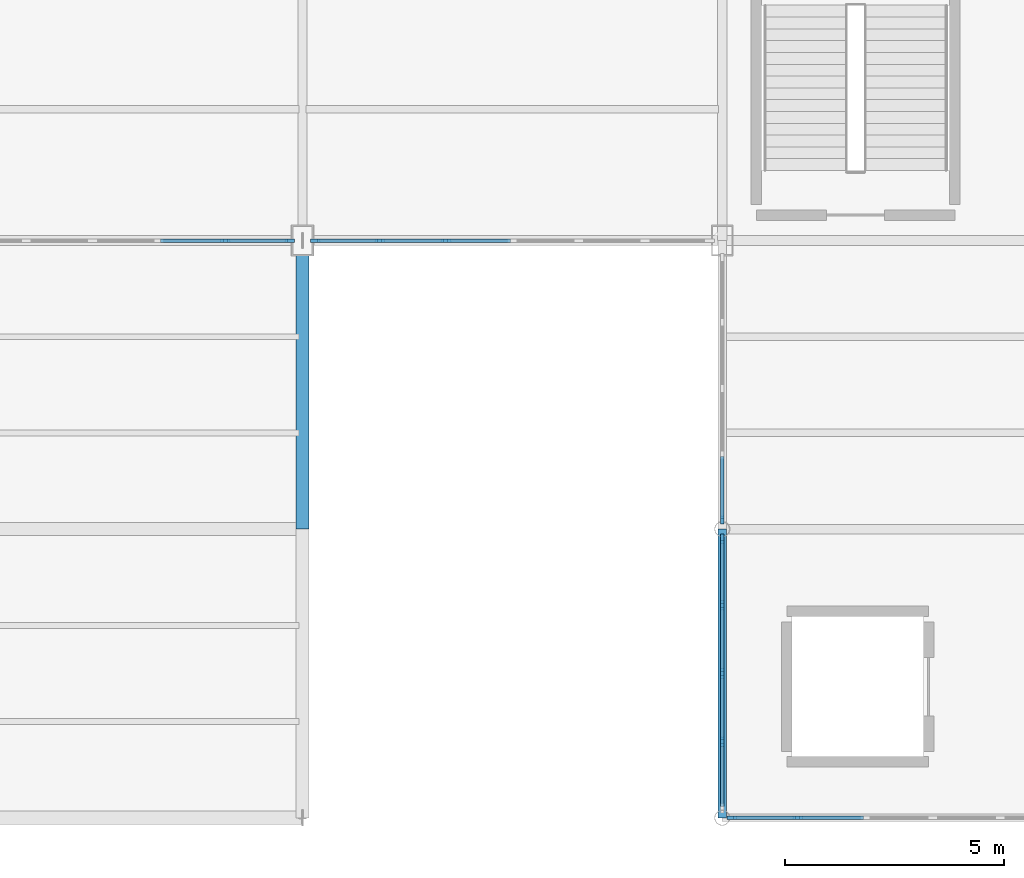
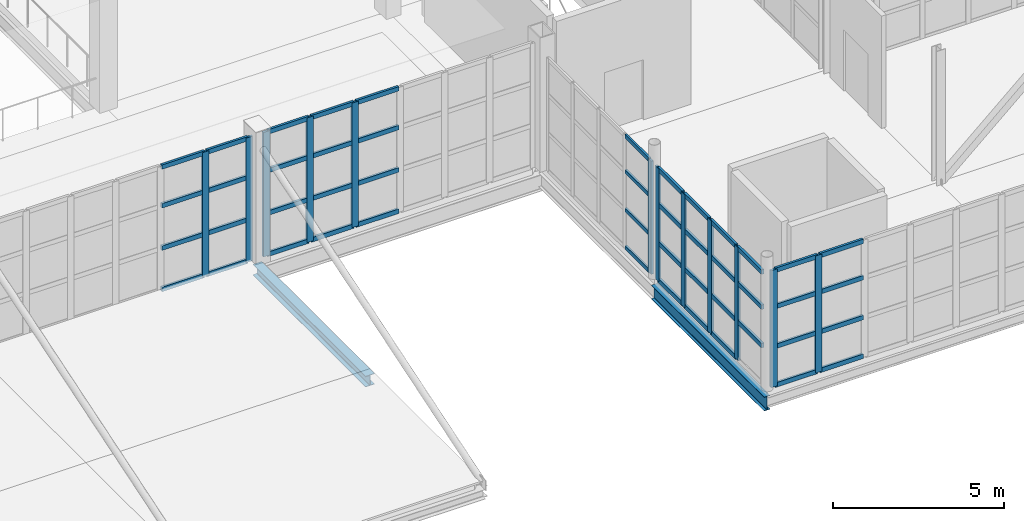
# One storey, part 31 of 120: 59 members, 2 beams, 5 elements without a shape of their own.
"""IFC4 building model written with IfcOpenShell, lengths in metres."""

from ifc_helpers import new_model, si_unit, direction, frame, origin, origin_2d, place, context, subcontext, project, spatial, rectangle, i_section, extrude, material, layer, layer_set, material_profile, profile_set, type_object, element, aggregate, save


model = new_model("IFC4")

# Units and contexts
model_context = context("Model", 3, precision=1e-05, world=origin(), true_north=direction((0.0, 1.0)))
body_context = subcontext(model_context, "Body", "Model", "MODEL_VIEW")
ifc_project = project(units=[si_unit("LENGTHUNIT", "METRE"), si_unit("AREAUNIT", "SQUARE_METRE"), si_unit("VOLUMEUNIT", "CUBIC_METRE"), si_unit("PLANEANGLEUNIT", "RADIAN"), si_unit("MASSUNIT", "GRAM", prefix="KILO")], contexts=[model_context])

# Site, building, storey
site_placement = place(None, origin())
site = spatial("IfcSite", under=ifc_project, at=site_placement, CompositionType="ELEMENT")
building_placement = place(site_placement, origin())
building = spatial("IfcBuilding", under=site, at=building_placement, Name="Zarnetskaya Central Station", CompositionType="ELEMENT")
storey_placement = place(building_placement, frame((0.0, 0.0, 5.39990234375)))
storey = spatial("IfcBuildingStorey", under=building, at=storey_placement, Name="L01", CompositionType="ELEMENT", Elevation=5.39990234375)

# Curtain wall, member
ifc_material_1 = material(Name="Low-E insulated glass", Category="glass")
ifc_layer_1 = layer(ifc_material_1, 0.159912109375, Name="Low-E insulated glass", Category="glass")
ifc_layer_set_1 = layer_set([ifc_layer_1], Name="Low-E insulated glass")
curtain_wall_type_1 = type_object("IfcCurtainWallType", Name="CW-SYS-06", PredefinedType="USERDEFINED", material=ifc_layer_set_1)
curtain_wall_1_placement = place(storey_placement, origin())
curtain_wall_1 = element("IfcCurtainWall", 1, at=curtain_wall_1_placement, inside=storey, type_object=curtain_wall_type_1, Name="Curtain wall CW-L01-111", ObjectType="CURTAIN WALL", PredefinedType="USERDEFINED")
ifc_material_2 = material(Name="Anodised aluminium", Category="aluminium")
ifc_material_profile_1 = material_profile(ifc_material_2, rectangle(XDim=0.070068359375, YDim=0.179931640625, at=origin_2d()), Name="ALU MULL 70x180")
ifc_profile_set_1 = profile_set([ifc_material_profile_1], Name="Anodised aluminium")
member_type_1 = type_object("IfcMemberType", Name="CW-MULL-180", PredefinedType="MULLION", material=ifc_profile_set_1)
member_1_placement = place(storey_placement, frame((124.800048828125, 6.812744140625, 0.0), z_axis=(0.0, 0.0, 1.0), x_axis=(-1.0, 0.0, 0.0)))
member_1 = element("IfcMember", 2, at=member_1_placement, type_object=member_type_1, Name="CW-02 mullion 1", PredefinedType="MULLION", context=body_context, shape_type="SweptSolid", body=[
    extrude(rectangle(XDim=0.070068359375, YDim=0.179931640625, at=origin_2d()), origin(), (0.0, 0.0, 1.0), 4.0400390625),
])

# Curtain wall, members
ifc_layer_2 = layer(ifc_material_1, 0.16796875, Name="Low-E insulated glass", Category="glass")
ifc_layer_set_2 = layer_set([ifc_layer_2], Name="Low-E insulated glass")
curtain_wall_type_2 = type_object("IfcCurtainWallType", Name="CW-SYS-13", PredefinedType="USERDEFINED", material=ifc_layer_set_2)
curtain_wall_2_placement = place(storey_placement, origin())
curtain_wall_2 = element("IfcCurtainWall", 3, at=curtain_wall_2_placement, inside=storey, type_object=curtain_wall_type_2, Name="Curtain wall CW-L01-084", ObjectType="CURTAIN WALL", PredefinedType="USERDEFINED")
ifc_material_profile_2 = material_profile(ifc_material_2, rectangle(XDim=0.080078125, YDim=0.219970703125, at=origin_2d()), Name="ALU MULL 80x220")
ifc_profile_set_2 = profile_set([ifc_material_profile_2], Name="Anodised aluminium")
member_type_2 = type_object("IfcMemberType", Name="CW-MULL-220", PredefinedType="MULLION", material=ifc_profile_set_2)
member_2_placement = place(storey_placement, frame((114.909912109375, 13.199951171875, 0.0), z_axis=(0.0, 0.0, 1.0), x_axis=(0.0, -1.0, 0.0)))
member_2 = element("IfcMember", 4, at=member_2_placement, type_object=member_type_2, Name="CW-04 mullion 1", PredefinedType="MULLION", context=body_context, shape_type="SweptSolid", body=[
    extrude(rectangle(XDim=0.080078125, YDim=0.219970703125, at=origin_2d()), origin(), (0.0, 0.0, 1.0), 4.4501953125),
])
member_3_placement = place(storey_placement, frame((113.433349609375, 13.199951171875, 0.0), z_axis=(0.0, 0.0, 1.0), x_axis=(0.0, -1.0, 0.0)))
member_3 = element("IfcMember", 5, at=member_3_placement, type_object=member_type_2, Name="CW-04 mullion 2", PredefinedType="MULLION", context=body_context, shape_type="SweptSolid", body=[
    extrude(rectangle(XDim=0.080078125, YDim=0.219970703125, at=origin_2d()), origin(), (0.0, 0.0, 1.0), 4.4501953125),
])

ifc_layer_3 = layer(ifc_material_1, 0.172119140625, Name="Low-E insulated glass", Category="glass")
ifc_layer_set_3 = layer_set([ifc_layer_3], Name="Low-E insulated glass")
curtain_wall_type_3 = type_object("IfcCurtainWallType", Name="CW-SYS-14", PredefinedType="USERDEFINED", material=ifc_layer_set_3)
curtain_wall_3_placement = place(storey_placement, origin())
curtain_wall_3 = element("IfcCurtainWall", 6, at=curtain_wall_3_placement, inside=storey, type_object=curtain_wall_type_3, Name="Curtain wall CW-L01-086", ObjectType="CURTAIN WALL", PredefinedType="USERDEFINED")
member_4_placement = place(storey_placement, frame((118.4833984375, 13.199951171875, 0.0), z_axis=(0.0, 0.0, 1.0), x_axis=(0.0, -1.0, 0.0)))
member_4 = element("IfcMember", 7, at=member_4_placement, type_object=member_type_2, Name="CW-17 mullion 5", PredefinedType="MULLION", context=body_context, shape_type="SweptSolid", body=[
    extrude(rectangle(XDim=0.080078125, YDim=0.219970703125, at=origin_2d()), origin(), (0.0, 0.0, 1.0), 4.4501953125),
])
member_5_placement = place(storey_placement, frame((116.966552734375, 13.199951171875, 0.0), z_axis=(0.0, 0.0, 1.0), x_axis=(0.0, -1.0, 0.0)))
member_5 = element("IfcMember", 8, at=member_5_placement, type_object=member_type_2, Name="CW-17 mullion 6", PredefinedType="MULLION", context=body_context, shape_type="SweptSolid", body=[
    extrude(rectangle(XDim=0.080078125, YDim=0.219970703125, at=origin_2d()), origin(), (0.0, 0.0, 1.0), 4.4501953125),
])
member_6_placement = place(storey_placement, frame((115.489990234375, 13.199951171875, 0.0), z_axis=(0.0, 0.0, 1.0), x_axis=(0.0, -1.0, 0.0)))
member_6 = element("IfcMember", 9, at=member_6_placement, type_object=member_type_2, Name="CW-17 mullion 7", PredefinedType="MULLION", context=body_context, shape_type="SweptSolid", body=[
    extrude(rectangle(XDim=0.080078125, YDim=0.219970703125, at=origin_2d()), origin(), (0.0, 0.0, 1.0), 4.4501953125),
])

curtain_wall_4_placement = place(storey_placement, origin())
curtain_wall_4 = element("IfcCurtainWall", 10, at=curtain_wall_4_placement, inside=storey, type_object=curtain_wall_type_1, Name="Curtain wall CW-L01-110", ObjectType="CURTAIN WALL", PredefinedType="USERDEFINED")
member_7_placement = place(storey_placement, frame((124.800048828125, 1.739013671875, 0.0), z_axis=(0.0, 0.0, 1.0), x_axis=(-1.0, 0.0, 0.0)))
member_7 = element("IfcMember", 11, at=member_7_placement, type_object=member_type_2, Name="CW-02 mullion 2", PredefinedType="MULLION", context=body_context, shape_type="SweptSolid", body=[
    extrude(rectangle(XDim=0.080078125, YDim=0.219970703125, at=origin_2d()), origin(), (0.0, 0.0, 1.0), 4.0400390625),
])
member_8_placement = place(storey_placement, frame((124.800048828125, 3.300048828125, 0.0), z_axis=(0.0, 0.0, 1.0), x_axis=(-1.0, 0.0, 0.0)))
member_8 = element("IfcMember", 12, at=member_8_placement, type_object=member_type_2, Name="CW-02 mullion 3", PredefinedType="MULLION", context=body_context, shape_type="SweptSolid", body=[
    extrude(rectangle(XDim=0.080078125, YDim=0.219970703125, at=origin_2d()), origin(), (0.0, 0.0, 1.0), 4.0400390625),
])
member_9_placement = place(storey_placement, frame((124.800048828125, 4.861083984375, 0.0), z_axis=(0.0, 0.0, 1.0), x_axis=(-1.0, 0.0, 0.0)))
member_9 = element("IfcMember", 13, at=member_9_placement, type_object=member_type_2, Name="CW-02 mullion 4", PredefinedType="MULLION", context=body_context, shape_type="SweptSolid", body=[
    extrude(rectangle(XDim=0.080078125, YDim=0.219970703125, at=origin_2d()), origin(), (0.0, 0.0, 1.0), 4.0400390625),
])
member_10_placement = place(storey_placement, frame((124.800048828125, 6.382080078125, 0.0), z_axis=(0.0, 0.0, 1.0), x_axis=(-1.0, 0.0, 0.0)))
member_10 = element("IfcMember", 14, at=member_10_placement, type_object=member_type_2, Name="CW-02 mullion 5", PredefinedType="MULLION", context=body_context, shape_type="SweptSolid", body=[
    extrude(rectangle(XDim=0.080078125, YDim=0.219970703125, at=origin_2d()), origin(), (0.0, 0.0, 1.0), 4.0400390625),
])

curtain_wall_5_placement = place(storey_placement, origin())
curtain_wall_5 = element("IfcCurtainWall", 15, at=curtain_wall_5_placement, inside=storey, type_object=curtain_wall_type_1, Name="Curtain wall CW-L01-126", ObjectType="CURTAIN WALL", PredefinedType="USERDEFINED")
member_11_placement = place(storey_placement, frame((126.523193359375, 0.0, 0.0), z_axis=(0.0, 0.0, 1.0), x_axis=(0.0, -1.0, 0.0)))
member_11 = element("IfcMember", 16, at=member_11_placement, type_object=member_type_2, Name="CW-02 mullion 6", PredefinedType="MULLION", context=body_context, shape_type="SweptSolid", body=[
    extrude(rectangle(XDim=0.080078125, YDim=0.219970703125, at=origin_2d()), origin(), (0.0, 0.0, 1.0), 4.18017578125),
])
member_12_placement = place(storey_placement, frame((125.017822265625, 0.0, 0.0), z_axis=(0.0, 0.0, 1.0), x_axis=(0.0, -1.0, 0.0)))
member_12 = element("IfcMember", 17, at=member_12_placement, type_object=member_type_2, Name="CW-02 mullion 7", PredefinedType="MULLION", context=body_context, shape_type="SweptSolid", body=[
    extrude(rectangle(XDim=0.080078125, YDim=0.219970703125, at=origin_2d()), origin(), (0.0, 0.0, 1.0), 4.18017578125),
])

# Member
ifc_material_profile_3 = material_profile(ifc_material_2, rectangle(XDim=0.070068359375, YDim=0.139892578125, at=origin_2d()), Name="ALU TRAN 70x140")
ifc_profile_set_3 = profile_set([ifc_material_profile_3], Name="Anodised aluminium")
member_type_3 = type_object("IfcMemberType", Name="CW-TRAN-140", PredefinedType="USERDEFINED", material=ifc_profile_set_3)
member_13_placement = place(storey_placement, frame((124.800048828125, 6.847900390625, 0.03515625), z_axis=(0.0, 1.0, 0.0), x_axis=(-1.0, 0.0, 0.0)))
member_13 = element("IfcMember", 18, at=member_13_placement, type_object=member_type_3, Name="CW-02 transom 1.1", ObjectType="TRANSOM", PredefinedType="USERDEFINED", context=body_context, shape_type="SweptSolid", body=[
    extrude(rectangle(XDim=0.070068359375, YDim=0.139892578125, at=origin_2d()), origin(), (0.0, 0.0, 1.0), 1.412841796875),
])

member_14_placement = place(storey_placement, frame((124.800048828125, 6.847900390625, 1.3740234375), z_axis=(0.0, 1.0, 0.0), x_axis=(-1.0, 0.0, 0.0)))
member_14 = element("IfcMember", 19, at=member_14_placement, type_object=member_type_3, Name="CW-02 transom 1.2", ObjectType="TRANSOM", PredefinedType="USERDEFINED", context=body_context, shape_type="SweptSolid", body=[
    extrude(rectangle(XDim=0.070068359375, YDim=0.139892578125, at=origin_2d()), origin(), (0.0, 0.0, 1.0), 1.412841796875),
])

member_15_placement = place(storey_placement, frame((124.800048828125, 6.847900390625, 2.7470703125), z_axis=(0.0, 1.0, 0.0), x_axis=(-1.0, 0.0, 0.0)))
member_15 = element("IfcMember", 20, at=member_15_placement, type_object=member_type_3, Name="CW-02 transom 1.3", ObjectType="TRANSOM", PredefinedType="USERDEFINED", context=body_context, shape_type="SweptSolid", body=[
    extrude(rectangle(XDim=0.070068359375, YDim=0.139892578125, at=origin_2d()), origin(), (0.0, 0.0, 1.0), 1.412841796875),
])

member_16_placement = place(storey_placement, frame((124.800048828125, 6.847900390625, 4.005126953125), z_axis=(0.0, 1.0, 0.0), x_axis=(-1.0, 0.0, 0.0)))
member_16 = element("IfcMember", 21, at=member_16_placement, type_object=member_type_3, Name="CW-02 transom 1.4", ObjectType="TRANSOM", PredefinedType="USERDEFINED", context=body_context, shape_type="SweptSolid", body=[
    extrude(rectangle(XDim=0.070068359375, YDim=0.139892578125, at=origin_2d()), origin(), (0.0, 0.0, 1.0), 1.412841796875),
])

aggregate(curtain_wall_1, [member_1, member_13, member_14, member_15, member_16])

ifc_material_profile_4 = material_profile(ifc_material_2, rectangle(XDim=0.080078125, YDim=0.159912109375, at=origin_2d()), Name="ALU TRAN 80x160")
ifc_profile_set_4 = profile_set([ifc_material_profile_4], Name="Anodised aluminium")
member_type_4 = type_object("IfcMemberType", Name="CW-TRAN-160", PredefinedType="USERDEFINED", material=ifc_profile_set_4)
member_17_placement = place(storey_placement, frame((114.8701171875, 13.199951171875, 0.0400390625), z_axis=(-1.0, 0.0, 0.0), x_axis=(0.0, -1.0, 0.0)))
member_17 = element("IfcMember", 22, at=member_17_placement, type_object=member_type_4, Name="CW-04 transom 1.1", ObjectType="TRANSOM", PredefinedType="USERDEFINED", context=body_context, shape_type="SweptSolid", body=[
    extrude(rectangle(XDim=0.080078125, YDim=0.159912109375, at=origin_2d()), origin(), (0.0, 0.0, 1.0), 1.396728515625),
])

member_18_placement = place(storey_placement, frame((114.8701171875, 13.199951171875, 1.51318359375), z_axis=(-1.0, 0.0, 0.0), x_axis=(0.0, -1.0, 0.0)))
member_18 = element("IfcMember", 23, at=member_18_placement, type_object=member_type_4, Name="CW-04 transom 1.2", ObjectType="TRANSOM", PredefinedType="USERDEFINED", context=body_context, shape_type="SweptSolid", body=[
    extrude(rectangle(XDim=0.080078125, YDim=0.159912109375, at=origin_2d()), origin(), (0.0, 0.0, 1.0), 1.396728515625),
])

member_19_placement = place(storey_placement, frame((114.8701171875, 13.199951171875, 3.026123046875), z_axis=(-1.0, 0.0, 0.0), x_axis=(0.0, -1.0, 0.0)))
member_19 = element("IfcMember", 24, at=member_19_placement, type_object=member_type_4, Name="CW-04 transom 1.3", ObjectType="TRANSOM", PredefinedType="USERDEFINED", context=body_context, shape_type="SweptSolid", body=[
    extrude(rectangle(XDim=0.080078125, YDim=0.159912109375, at=origin_2d()), origin(), (0.0, 0.0, 1.0), 1.396728515625),
])

member_20_placement = place(storey_placement, frame((114.8701171875, 13.199951171875, 4.41015625), z_axis=(-1.0, 0.0, 0.0), x_axis=(0.0, -1.0, 0.0)))
member_20 = element("IfcMember", 25, at=member_20_placement, type_object=member_type_4, Name="CW-04 transom 1.4", ObjectType="TRANSOM", PredefinedType="USERDEFINED", context=body_context, shape_type="SweptSolid", body=[
    extrude(rectangle(XDim=0.080078125, YDim=0.159912109375, at=origin_2d()), origin(), (0.0, 0.0, 1.0), 1.396728515625),
])

member_21_placement = place(storey_placement, frame((113.393310546875, 13.199951171875, 0.0400390625), z_axis=(-1.0, 0.0, 0.0), x_axis=(0.0, -1.0, 0.0)))
member_21 = element("IfcMember", 26, at=member_21_placement, type_object=member_type_4, Name="CW-04 transom 2.1", ObjectType="TRANSOM", PredefinedType="USERDEFINED", context=body_context, shape_type="SweptSolid", body=[
    extrude(rectangle(XDim=0.080078125, YDim=0.159912109375, at=origin_2d()), origin(), (0.0, 0.0, 1.0), 1.4365234375),
])

member_22_placement = place(storey_placement, frame((113.393310546875, 13.199951171875, 1.51318359375), z_axis=(-1.0, 0.0, 0.0), x_axis=(0.0, -1.0, 0.0)))
member_22 = element("IfcMember", 27, at=member_22_placement, type_object=member_type_4, Name="CW-04 transom 2.2", ObjectType="TRANSOM", PredefinedType="USERDEFINED", context=body_context, shape_type="SweptSolid", body=[
    extrude(rectangle(XDim=0.080078125, YDim=0.159912109375, at=origin_2d()), origin(), (0.0, 0.0, 1.0), 1.4365234375),
])

member_23_placement = place(storey_placement, frame((113.393310546875, 13.199951171875, 3.026123046875), z_axis=(-1.0, 0.0, 0.0), x_axis=(0.0, -1.0, 0.0)))
member_23 = element("IfcMember", 28, at=member_23_placement, type_object=member_type_4, Name="CW-04 transom 2.3", ObjectType="TRANSOM", PredefinedType="USERDEFINED", context=body_context, shape_type="SweptSolid", body=[
    extrude(rectangle(XDim=0.080078125, YDim=0.159912109375, at=origin_2d()), origin(), (0.0, 0.0, 1.0), 1.4365234375),
])

member_24_placement = place(storey_placement, frame((113.393310546875, 13.199951171875, 4.41015625), z_axis=(-1.0, 0.0, 0.0), x_axis=(0.0, -1.0, 0.0)))
member_24 = element("IfcMember", 29, at=member_24_placement, type_object=member_type_4, Name="CW-04 transom 2.4", ObjectType="TRANSOM", PredefinedType="USERDEFINED", context=body_context, shape_type="SweptSolid", body=[
    extrude(rectangle(XDim=0.080078125, YDim=0.159912109375, at=origin_2d()), origin(), (0.0, 0.0, 1.0), 1.4365234375),
])

aggregate(curtain_wall_2, [member_2, member_3, member_17, member_18, member_19, member_20, member_21, member_22, member_23, member_24])

member_25_placement = place(storey_placement, frame((119.9599609375, 13.199951171875, 0.0400390625), z_axis=(-1.0, 0.0, 0.0), x_axis=(0.0, -1.0, 0.0)))
member_25 = element("IfcMember", 30, at=member_25_placement, type_object=member_type_4, Name="CW-17 transom 4.1", ObjectType="TRANSOM", PredefinedType="USERDEFINED", context=body_context, shape_type="SweptSolid", body=[
    extrude(rectangle(XDim=0.080078125, YDim=0.159912109375, at=origin_2d()), origin(), (0.0, 0.0, 1.0), 1.4365234375),
])

member_26_placement = place(storey_placement, frame((119.9599609375, 13.199951171875, 1.51318359375), z_axis=(-1.0, 0.0, 0.0), x_axis=(0.0, -1.0, 0.0)))
member_26 = element("IfcMember", 31, at=member_26_placement, type_object=member_type_4, Name="CW-17 transom 4.2", ObjectType="TRANSOM", PredefinedType="USERDEFINED", context=body_context, shape_type="SweptSolid", body=[
    extrude(rectangle(XDim=0.080078125, YDim=0.159912109375, at=origin_2d()), origin(), (0.0, 0.0, 1.0), 1.4365234375),
])

member_27_placement = place(storey_placement, frame((119.9599609375, 13.199951171875, 3.026123046875), z_axis=(-1.0, 0.0, 0.0), x_axis=(0.0, -1.0, 0.0)))
member_27 = element("IfcMember", 32, at=member_27_placement, type_object=member_type_4, Name="CW-17 transom 4.3", ObjectType="TRANSOM", PredefinedType="USERDEFINED", context=body_context, shape_type="SweptSolid", body=[
    extrude(rectangle(XDim=0.080078125, YDim=0.159912109375, at=origin_2d()), origin(), (0.0, 0.0, 1.0), 1.4365234375),
])

member_28_placement = place(storey_placement, frame((119.9599609375, 13.199951171875, 4.41015625), z_axis=(-1.0, 0.0, 0.0), x_axis=(0.0, -1.0, 0.0)))
member_28 = element("IfcMember", 33, at=member_28_placement, type_object=member_type_4, Name="CW-17 transom 4.4", ObjectType="TRANSOM", PredefinedType="USERDEFINED", context=body_context, shape_type="SweptSolid", body=[
    extrude(rectangle(XDim=0.080078125, YDim=0.159912109375, at=origin_2d()), origin(), (0.0, 0.0, 1.0), 1.4365234375),
])

member_29_placement = place(storey_placement, frame((118.443359375, 13.199951171875, 0.0400390625), z_axis=(-1.0, 0.0, 0.0), x_axis=(0.0, -1.0, 0.0)))
member_29 = element("IfcMember", 34, at=member_29_placement, type_object=member_type_4, Name="CW-17 transom 5.1", ObjectType="TRANSOM", PredefinedType="USERDEFINED", context=body_context, shape_type="SweptSolid", body=[
    extrude(rectangle(XDim=0.080078125, YDim=0.159912109375, at=origin_2d()), origin(), (0.0, 0.0, 1.0), 1.436767578125),
])

member_30_placement = place(storey_placement, frame((118.443359375, 13.199951171875, 1.51318359375), z_axis=(-1.0, 0.0, 0.0), x_axis=(0.0, -1.0, 0.0)))
member_30 = element("IfcMember", 35, at=member_30_placement, type_object=member_type_4, Name="CW-17 transom 5.2", ObjectType="TRANSOM", PredefinedType="USERDEFINED", context=body_context, shape_type="SweptSolid", body=[
    extrude(rectangle(XDim=0.080078125, YDim=0.159912109375, at=origin_2d()), origin(), (0.0, 0.0, 1.0), 1.436767578125),
])

member_31_placement = place(storey_placement, frame((118.443359375, 13.199951171875, 3.026123046875), z_axis=(-1.0, 0.0, 0.0), x_axis=(0.0, -1.0, 0.0)))
member_31 = element("IfcMember", 36, at=member_31_placement, type_object=member_type_4, Name="CW-17 transom 5.3", ObjectType="TRANSOM", PredefinedType="USERDEFINED", context=body_context, shape_type="SweptSolid", body=[
    extrude(rectangle(XDim=0.080078125, YDim=0.159912109375, at=origin_2d()), origin(), (0.0, 0.0, 1.0), 1.436767578125),
])

member_32_placement = place(storey_placement, frame((118.443359375, 13.199951171875, 4.41015625), z_axis=(-1.0, 0.0, 0.0), x_axis=(0.0, -1.0, 0.0)))
member_32 = element("IfcMember", 37, at=member_32_placement, type_object=member_type_4, Name="CW-17 transom 5.4", ObjectType="TRANSOM", PredefinedType="USERDEFINED", context=body_context, shape_type="SweptSolid", body=[
    extrude(rectangle(XDim=0.080078125, YDim=0.159912109375, at=origin_2d()), origin(), (0.0, 0.0, 1.0), 1.436767578125),
])

member_33_placement = place(storey_placement, frame((116.9267578125, 13.199951171875, 0.0400390625), z_axis=(-1.0, 0.0, 0.0), x_axis=(0.0, -1.0, 0.0)))
member_33 = element("IfcMember", 38, at=member_33_placement, type_object=member_type_4, Name="CW-17 transom 6.1", ObjectType="TRANSOM", PredefinedType="USERDEFINED", context=body_context, shape_type="SweptSolid", body=[
    extrude(rectangle(XDim=0.080078125, YDim=0.159912109375, at=origin_2d()), origin(), (0.0, 0.0, 1.0), 1.396728515625),
])

member_34_placement = place(storey_placement, frame((116.9267578125, 13.199951171875, 1.51318359375), z_axis=(-1.0, 0.0, 0.0), x_axis=(0.0, -1.0, 0.0)))
member_34 = element("IfcMember", 39, at=member_34_placement, type_object=member_type_4, Name="CW-17 transom 6.2", ObjectType="TRANSOM", PredefinedType="USERDEFINED", context=body_context, shape_type="SweptSolid", body=[
    extrude(rectangle(XDim=0.080078125, YDim=0.159912109375, at=origin_2d()), origin(), (0.0, 0.0, 1.0), 1.396728515625),
])

member_35_placement = place(storey_placement, frame((116.9267578125, 13.199951171875, 3.026123046875), z_axis=(-1.0, 0.0, 0.0), x_axis=(0.0, -1.0, 0.0)))
member_35 = element("IfcMember", 40, at=member_35_placement, type_object=member_type_4, Name="CW-17 transom 6.3", ObjectType="TRANSOM", PredefinedType="USERDEFINED", context=body_context, shape_type="SweptSolid", body=[
    extrude(rectangle(XDim=0.080078125, YDim=0.159912109375, at=origin_2d()), origin(), (0.0, 0.0, 1.0), 1.396728515625),
])

member_36_placement = place(storey_placement, frame((116.9267578125, 13.199951171875, 4.41015625), z_axis=(-1.0, 0.0, 0.0), x_axis=(0.0, -1.0, 0.0)))
member_36 = element("IfcMember", 41, at=member_36_placement, type_object=member_type_4, Name="CW-17 transom 6.4", ObjectType="TRANSOM", PredefinedType="USERDEFINED", context=body_context, shape_type="SweptSolid", body=[
    extrude(rectangle(XDim=0.080078125, YDim=0.159912109375, at=origin_2d()), origin(), (0.0, 0.0, 1.0), 1.396728515625),
])

aggregate(curtain_wall_3, [member_4, member_5, member_6, member_25, member_26, member_27, member_28, member_29, member_30, member_31, member_32, member_33, member_34, member_35, member_36])

member_37_placement = place(storey_placement, frame((124.800048828125, 0.2578125, 1.3740234375), z_axis=(0.0, 1.0, 0.0), x_axis=(-1.0, 0.0, 0.0)))
member_37 = element("IfcMember", 42, at=member_37_placement, type_object=member_type_4, Name="CW-02 transom 1.2", ObjectType="TRANSOM", PredefinedType="USERDEFINED", context=body_context, shape_type="SweptSolid", body=[
    extrude(rectangle(XDim=0.080078125, YDim=0.159912109375, at=origin_2d()), origin(), (0.0, 0.0, 1.0), 1.441162109375),
])

member_38_placement = place(storey_placement, frame((124.800048828125, 0.2578125, 2.7470703125), z_axis=(0.0, 1.0, 0.0), x_axis=(-1.0, 0.0, 0.0)))
member_38 = element("IfcMember", 43, at=member_38_placement, type_object=member_type_4, Name="CW-02 transom 1.3", ObjectType="TRANSOM", PredefinedType="USERDEFINED", context=body_context, shape_type="SweptSolid", body=[
    extrude(rectangle(XDim=0.080078125, YDim=0.159912109375, at=origin_2d()), origin(), (0.0, 0.0, 1.0), 1.441162109375),
])

member_39_placement = place(storey_placement, frame((124.800048828125, 0.2578125, 4.0), z_axis=(0.0, 1.0, 0.0), x_axis=(-1.0, 0.0, 0.0)))
member_39 = element("IfcMember", 44, at=member_39_placement, type_object=member_type_4, Name="CW-02 transom 1.4", ObjectType="TRANSOM", PredefinedType="USERDEFINED", context=body_context, shape_type="SweptSolid", body=[
    extrude(rectangle(XDim=0.080078125, YDim=0.159912109375, at=origin_2d()), origin(), (0.0, 0.0, 1.0), 1.441162109375),
])

member_40_placement = place(storey_placement, frame((124.800048828125, 1.77880859375, 0.0400390625), z_axis=(0.0, 1.0, 0.0), x_axis=(-1.0, 0.0, 0.0)))
member_40 = element("IfcMember", 45, at=member_40_placement, type_object=member_type_4, Name="CW-02 transom 2.1", ObjectType="TRANSOM", PredefinedType="USERDEFINED", context=body_context, shape_type="SweptSolid", body=[
    extrude(rectangle(XDim=0.080078125, YDim=0.159912109375, at=origin_2d()), origin(), (0.0, 0.0, 1.0), 1.481201171875),
])

member_41_placement = place(storey_placement, frame((124.800048828125, 1.77880859375, 1.3740234375), z_axis=(0.0, 1.0, 0.0), x_axis=(-1.0, 0.0, 0.0)))
member_41 = element("IfcMember", 46, at=member_41_placement, type_object=member_type_4, Name="CW-02 transom 2.2", ObjectType="TRANSOM", PredefinedType="USERDEFINED", context=body_context, shape_type="SweptSolid", body=[
    extrude(rectangle(XDim=0.080078125, YDim=0.159912109375, at=origin_2d()), origin(), (0.0, 0.0, 1.0), 1.481201171875),
])

member_42_placement = place(storey_placement, frame((124.800048828125, 1.77880859375, 2.7470703125), z_axis=(0.0, 1.0, 0.0), x_axis=(-1.0, 0.0, 0.0)))
member_42 = element("IfcMember", 47, at=member_42_placement, type_object=member_type_4, Name="CW-02 transom 2.3", ObjectType="TRANSOM", PredefinedType="USERDEFINED", context=body_context, shape_type="SweptSolid", body=[
    extrude(rectangle(XDim=0.080078125, YDim=0.159912109375, at=origin_2d()), origin(), (0.0, 0.0, 1.0), 1.481201171875),
])

member_43_placement = place(storey_placement, frame((124.800048828125, 1.77880859375, 4.0), z_axis=(0.0, 1.0, 0.0), x_axis=(-1.0, 0.0, 0.0)))
member_43 = element("IfcMember", 48, at=member_43_placement, type_object=member_type_4, Name="CW-02 transom 2.4", ObjectType="TRANSOM", PredefinedType="USERDEFINED", context=body_context, shape_type="SweptSolid", body=[
    extrude(rectangle(XDim=0.080078125, YDim=0.159912109375, at=origin_2d()), origin(), (0.0, 0.0, 1.0), 1.481201171875),
])

member_44_placement = place(storey_placement, frame((124.800048828125, 3.340087890625, 0.0400390625), z_axis=(0.0, 1.0, 0.0), x_axis=(-1.0, 0.0, 0.0)))
member_44 = element("IfcMember", 49, at=member_44_placement, type_object=member_type_4, Name="CW-02 transom 3.1", ObjectType="TRANSOM", PredefinedType="USERDEFINED", context=body_context, shape_type="SweptSolid", body=[
    extrude(rectangle(XDim=0.080078125, YDim=0.159912109375, at=origin_2d()), origin(), (0.0, 0.0, 1.0), 1.48095703125),
])

member_45_placement = place(storey_placement, frame((124.800048828125, 3.340087890625, 1.3740234375), z_axis=(0.0, 1.0, 0.0), x_axis=(-1.0, 0.0, 0.0)))
member_45 = element("IfcMember", 50, at=member_45_placement, type_object=member_type_4, Name="CW-02 transom 3.2", ObjectType="TRANSOM", PredefinedType="USERDEFINED", context=body_context, shape_type="SweptSolid", body=[
    extrude(rectangle(XDim=0.080078125, YDim=0.159912109375, at=origin_2d()), origin(), (0.0, 0.0, 1.0), 1.48095703125),
])

member_46_placement = place(storey_placement, frame((124.800048828125, 3.340087890625, 2.7470703125), z_axis=(0.0, 1.0, 0.0), x_axis=(-1.0, 0.0, 0.0)))
member_46 = element("IfcMember", 51, at=member_46_placement, type_object=member_type_4, Name="CW-02 transom 3.3", ObjectType="TRANSOM", PredefinedType="USERDEFINED", context=body_context, shape_type="SweptSolid", body=[
    extrude(rectangle(XDim=0.080078125, YDim=0.159912109375, at=origin_2d()), origin(), (0.0, 0.0, 1.0), 1.48095703125),
])

member_47_placement = place(storey_placement, frame((124.800048828125, 3.340087890625, 4.0), z_axis=(0.0, 1.0, 0.0), x_axis=(-1.0, 0.0, 0.0)))
member_47 = element("IfcMember", 52, at=member_47_placement, type_object=member_type_4, Name="CW-02 transom 3.4", ObjectType="TRANSOM", PredefinedType="USERDEFINED", context=body_context, shape_type="SweptSolid", body=[
    extrude(rectangle(XDim=0.080078125, YDim=0.159912109375, at=origin_2d()), origin(), (0.0, 0.0, 1.0), 1.48095703125),
])

member_48_placement = place(storey_placement, frame((124.800048828125, 4.901123046875, 0.0400390625), z_axis=(0.0, 1.0, 0.0), x_axis=(-1.0, 0.0, 0.0)))
member_48 = element("IfcMember", 53, at=member_48_placement, type_object=member_type_4, Name="CW-02 transom 4.1", ObjectType="TRANSOM", PredefinedType="USERDEFINED", context=body_context, shape_type="SweptSolid", body=[
    extrude(rectangle(XDim=0.080078125, YDim=0.159912109375, at=origin_2d()), origin(), (0.0, 0.0, 1.0), 1.441162109375),
])

member_49_placement = place(storey_placement, frame((124.800048828125, 4.901123046875, 1.3740234375), z_axis=(0.0, 1.0, 0.0), x_axis=(-1.0, 0.0, 0.0)))
member_49 = element("IfcMember", 54, at=member_49_placement, type_object=member_type_4, Name="CW-02 transom 4.2", ObjectType="TRANSOM", PredefinedType="USERDEFINED", context=body_context, shape_type="SweptSolid", body=[
    extrude(rectangle(XDim=0.080078125, YDim=0.159912109375, at=origin_2d()), origin(), (0.0, 0.0, 1.0), 1.441162109375),
])

member_50_placement = place(storey_placement, frame((124.800048828125, 4.901123046875, 2.7470703125), z_axis=(0.0, 1.0, 0.0), x_axis=(-1.0, 0.0, 0.0)))
member_50 = element("IfcMember", 55, at=member_50_placement, type_object=member_type_4, Name="CW-02 transom 4.3", ObjectType="TRANSOM", PredefinedType="USERDEFINED", context=body_context, shape_type="SweptSolid", body=[
    extrude(rectangle(XDim=0.080078125, YDim=0.159912109375, at=origin_2d()), origin(), (0.0, 0.0, 1.0), 1.441162109375),
])

member_51_placement = place(storey_placement, frame((124.800048828125, 4.901123046875, 4.0), z_axis=(0.0, 1.0, 0.0), x_axis=(-1.0, 0.0, 0.0)))
member_51 = element("IfcMember", 56, at=member_51_placement, type_object=member_type_4, Name="CW-02 transom 4.4", ObjectType="TRANSOM", PredefinedType="USERDEFINED", context=body_context, shape_type="SweptSolid", body=[
    extrude(rectangle(XDim=0.080078125, YDim=0.159912109375, at=origin_2d()), origin(), (0.0, 0.0, 1.0), 1.441162109375),
])

aggregate(curtain_wall_4, [member_7, member_8, member_9, member_10, member_37, member_38, member_39, member_40, member_41, member_42, member_43, member_44, member_45, member_46, member_47, member_48, member_49, member_50, member_51])

member_52_placement = place(storey_placement, frame((128.028564453125, 0.0, 0.0400390625), z_axis=(-1.0, 0.0, 0.0), x_axis=(0.0, -1.0, 0.0)))
member_52 = element("IfcMember", 57, at=member_52_placement, type_object=member_type_4, Name="CW-02 transom 5.1", ObjectType="TRANSOM", PredefinedType="USERDEFINED", context=body_context, shape_type="SweptSolid", body=[
    extrude(rectangle(XDim=0.080078125, YDim=0.159912109375, at=origin_2d()), origin(), (0.0, 0.0, 1.0), 1.46533203125),
])

member_53_placement = place(storey_placement, frame((128.028564453125, 0.0, 1.421142578125), z_axis=(-1.0, 0.0, 0.0), x_axis=(0.0, -1.0, 0.0)))
member_53 = element("IfcMember", 58, at=member_53_placement, type_object=member_type_4, Name="CW-02 transom 5.2", ObjectType="TRANSOM", PredefinedType="USERDEFINED", context=body_context, shape_type="SweptSolid", body=[
    extrude(rectangle(XDim=0.080078125, YDim=0.159912109375, at=origin_2d()), origin(), (0.0, 0.0, 1.0), 1.46533203125),
])

member_54_placement = place(storey_placement, frame((128.028564453125, 0.0, 2.842041015625), z_axis=(-1.0, 0.0, 0.0), x_axis=(0.0, -1.0, 0.0)))
member_54 = element("IfcMember", 59, at=member_54_placement, type_object=member_type_4, Name="CW-02 transom 5.3", ObjectType="TRANSOM", PredefinedType="USERDEFINED", context=body_context, shape_type="SweptSolid", body=[
    extrude(rectangle(XDim=0.080078125, YDim=0.159912109375, at=origin_2d()), origin(), (0.0, 0.0, 1.0), 1.46533203125),
])

member_55_placement = place(storey_placement, frame((128.028564453125, 0.0, 4.14013671875), z_axis=(-1.0, 0.0, 0.0), x_axis=(0.0, -1.0, 0.0)))
member_55 = element("IfcMember", 60, at=member_55_placement, type_object=member_type_4, Name="CW-02 transom 5.4", ObjectType="TRANSOM", PredefinedType="USERDEFINED", context=body_context, shape_type="SweptSolid", body=[
    extrude(rectangle(XDim=0.080078125, YDim=0.159912109375, at=origin_2d()), origin(), (0.0, 0.0, 1.0), 1.46533203125),
])

member_56_placement = place(storey_placement, frame((126.483154296875, 0.0, 0.0400390625), z_axis=(-1.0, 0.0, 0.0), x_axis=(0.0, -1.0, 0.0)))
member_56 = element("IfcMember", 61, at=member_56_placement, type_object=member_type_4, Name="CW-02 transom 6.1", ObjectType="TRANSOM", PredefinedType="USERDEFINED", context=body_context, shape_type="SweptSolid", body=[
    extrude(rectangle(XDim=0.080078125, YDim=0.159912109375, at=origin_2d()), origin(), (0.0, 0.0, 1.0), 1.42529296875),
])

member_57_placement = place(storey_placement, frame((126.483154296875, 0.0, 1.421142578125), z_axis=(-1.0, 0.0, 0.0), x_axis=(0.0, -1.0, 0.0)))
member_57 = element("IfcMember", 62, at=member_57_placement, type_object=member_type_4, Name="CW-02 transom 6.2", ObjectType="TRANSOM", PredefinedType="USERDEFINED", context=body_context, shape_type="SweptSolid", body=[
    extrude(rectangle(XDim=0.080078125, YDim=0.159912109375, at=origin_2d()), origin(), (0.0, 0.0, 1.0), 1.42529296875),
])

member_58_placement = place(storey_placement, frame((126.483154296875, 0.0, 2.842041015625), z_axis=(-1.0, 0.0, 0.0), x_axis=(0.0, -1.0, 0.0)))
member_58 = element("IfcMember", 63, at=member_58_placement, type_object=member_type_4, Name="CW-02 transom 6.3", ObjectType="TRANSOM", PredefinedType="USERDEFINED", context=body_context, shape_type="SweptSolid", body=[
    extrude(rectangle(XDim=0.080078125, YDim=0.159912109375, at=origin_2d()), origin(), (0.0, 0.0, 1.0), 1.42529296875),
])

member_59_placement = place(storey_placement, frame((126.483154296875, 0.0, 4.14013671875), z_axis=(-1.0, 0.0, 0.0), x_axis=(0.0, -1.0, 0.0)))
member_59 = element("IfcMember", 64, at=member_59_placement, type_object=member_type_4, Name="CW-02 transom 6.4", ObjectType="TRANSOM", PredefinedType="USERDEFINED", context=body_context, shape_type="SweptSolid", body=[
    extrude(rectangle(XDim=0.080078125, YDim=0.159912109375, at=origin_2d()), origin(), (0.0, 0.0, 1.0), 1.42529296875),
])

aggregate(curtain_wall_5, [member_11, member_12, member_52, member_53, member_54, member_55, member_56, member_57, member_58, member_59])

# Beams
ifc_material_3 = material(Name="Steel S355", Category="steel")
ifc_material_profile_5 = material_profile(ifc_material_3, i_section(OverallWidth=0.199951171875, OverallDepth=0.5, WebThickness=0.01025390625, FlangeThickness=0.01611328125, FilletRadius=0.02099609375, at=origin_2d()), Name="IPE 500")
ifc_profile_set_5 = profile_set([ifc_material_profile_5], Name="Steel S355")
beam_type_1 = type_object("IfcBeamType", Name="GD-FLR-500", PredefinedType="USERDEFINED", material=ifc_profile_set_5)
beam_1_placement = place(storey_placement, frame((124.800048828125, 0.0, -0.52978515625), z_axis=(0.0, 1.0, 0.0), x_axis=(-1.0, 0.0, 0.0)))
element("IfcBeam", 65, at=beam_1_placement, inside=storey, type_object=beam_type_1, Name="Grid girder GY-L01-P-12", ObjectType="GIRDER", PredefinedType="USERDEFINED", context=body_context, shape_type="SweptSolid", body=[
    extrude(i_section(OverallWidth=0.199951171875, OverallDepth=0.5, WebThickness=0.01025390625, FlangeThickness=0.01611328125, FilletRadius=0.02099609375, at=origin_2d()), origin(), (0.0, 0.0, 1.0), 6.60009765625),
])
ifc_material_profile_6 = material_profile(ifc_material_3, i_section(OverallWidth=0.300048828125, OverallDepth=0.389892578125, WebThickness=0.010986328125, FlangeThickness=0.01904296875, FilletRadius=0.027099609375, at=origin_2d()), Name="HEA 400")
ifc_profile_set_6 = profile_set([ifc_material_profile_6], Name="Steel S355")
beam_type_2 = type_object("IfcBeamType", Name="GD-ROOF-400", PredefinedType="USERDEFINED", material=ifc_profile_set_6)
beam_2_placement = place(storey_placement, frame((115.199951171875, 6.60009765625, -0.35498046875), z_axis=(0.0, 1.0, 0.0), x_axis=(-1.0, 0.0, 0.0)))
element("IfcBeam", 66, at=beam_2_placement, inside=storey, type_object=beam_type_2, Name="Grid girder GY-L01-N-23", ObjectType="GIRDER", PredefinedType="USERDEFINED", context=body_context, shape_type="SweptSolid", body=[
    extrude(i_section(OverallWidth=0.300048828125, OverallDepth=0.389892578125, WebThickness=0.010986328125, FlangeThickness=0.01904296875, FilletRadius=0.027099609375, at=origin_2d()), origin(), (0.0, 0.0, 1.0), 6.599853515625),
])

save(model, "model.ifc")
